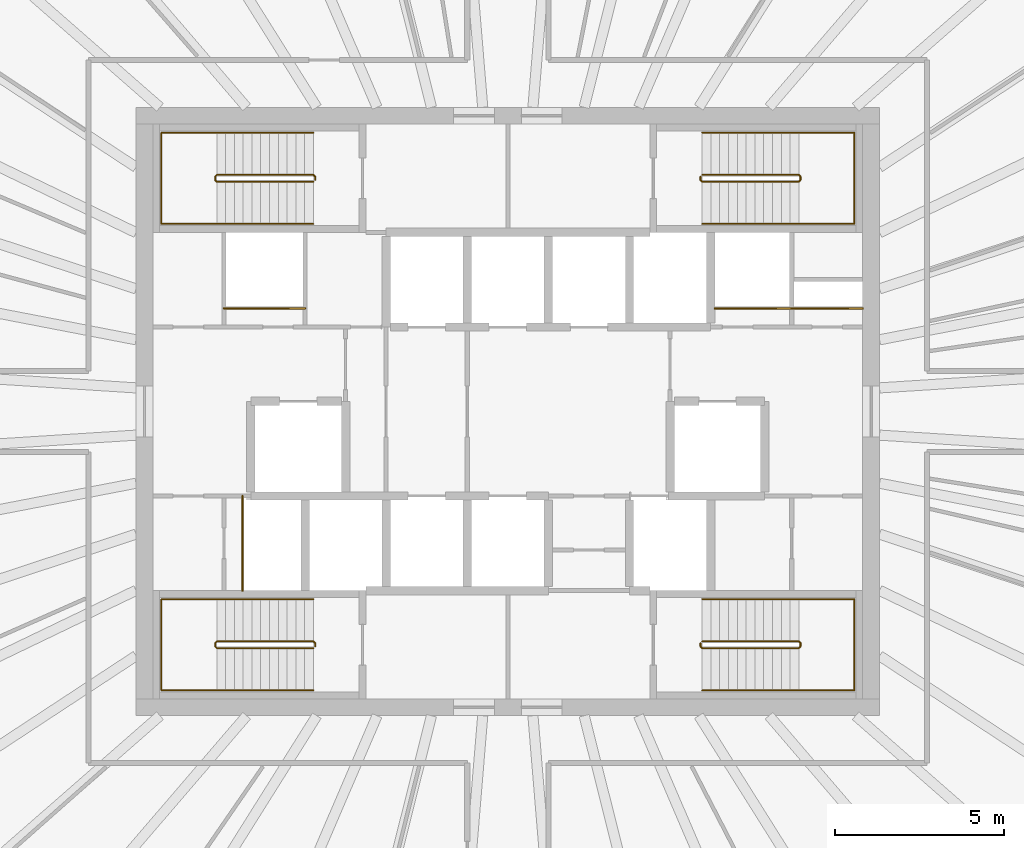
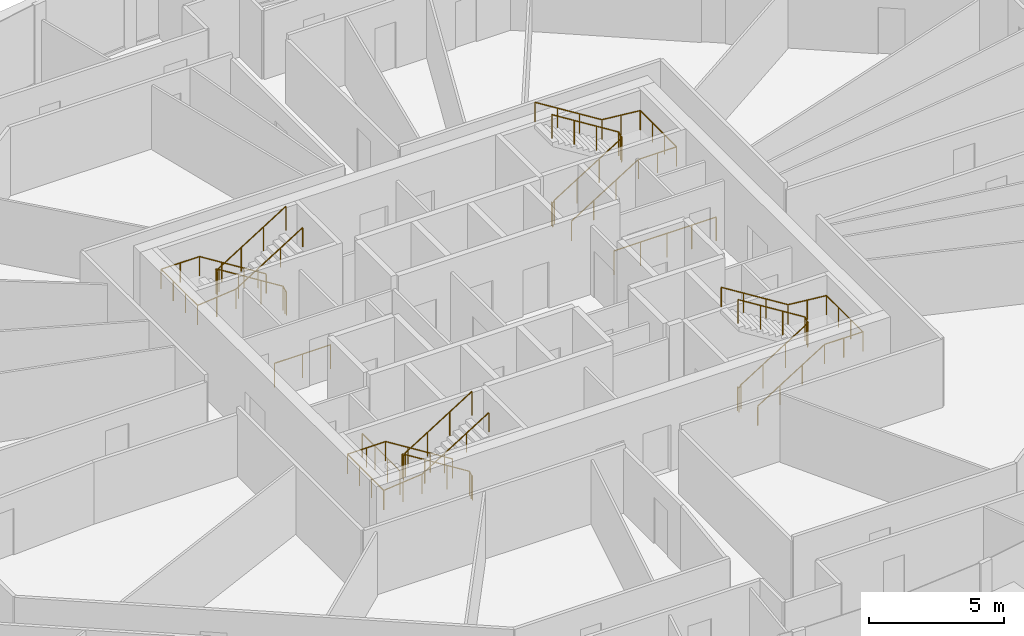
# One storey, part 12 of 12: 12 railings.
"""IFC4 building model written with IfcOpenShell, lengths in metres."""

from ifc_helpers import new_model, si_unit, direction, frame, origin, origin_2d, place, context, subcontext, project, spatial, circle, extrude, source, transform, mapped, material, type_object, element, save


model = new_model("IFC4")

# Units and contexts
model_context = context("Model", 3, precision=1e-05, world=origin(), true_north=direction((0.0, 1.0)))
body_context = subcontext(model_context, "Body", "Model", "MODEL_VIEW")
ifc_project = project(units=[si_unit("LENGTHUNIT", "METRE"), si_unit("AREAUNIT", "SQUARE_METRE"), si_unit("VOLUMEUNIT", "CUBIC_METRE"), si_unit("PLANEANGLEUNIT", "RADIAN"), si_unit("MASSUNIT", "GRAM", prefix="KILO")], contexts=[model_context])

# Site, building, storey
site_placement = place(None, origin())
site = spatial("IfcSite", under=ifc_project, at=site_placement, CompositionType="ELEMENT")
building_placement = place(site_placement, origin())
building = spatial("IfcBuilding", under=site, at=building_placement, Name="Embergate Tower", CompositionType="ELEMENT")
storey_placement = place(building_placement, frame((0.0, 0.0, 246.10009765625)))
storey = spatial("IfcBuildingStorey", under=building, at=storey_placement, Name="L56", CompositionType="ELEMENT", Elevation=246.10009765625)

# Railings
ifc_material_1 = material(Name="Stair handrail 900")
railing_type_1 = type_object("IfcRailingType", Name="Stair handrail 900", PredefinedType="HANDRAIL", material=ifc_material_1)
shared_shape_1 = source(origin(), body_context, "Body", "SweptSolid", [
    extrude(circle(Radius=0.02392578125, at=origin_2d()), frame((0.0, 0.0, 0.8759765625), z_axis=(-0.847994237388, 0.0, 0.530005446535), x_axis=(0.0, -1.0, 0.0)), (0.0, 0.0, 1.0), 3.372802734375),
    extrude(circle(Radius=0.02392578125, at=origin_2d()), frame((-2.860107421875, 0.0, 2.66357421875), z_axis=(-1.0, 0.0, 0.0), x_axis=(0.0, -1.0, 0.0)), (0.0, 0.0, 1.0), 1.639892578125),
    extrude(circle(Radius=0.02392578125, at=origin_2d()), frame((-4.5, 0.0, 2.66357421875), z_axis=(0.0, -1.0, 0.0), x_axis=(1.0, 0.0, 0.0)), (0.0, 0.0, 1.0), 2.699951171875),
    extrude(circle(Radius=0.02392578125, at=origin_2d()), frame((-4.5, -2.699951171875, 2.66357421875), z_axis=(0.995134983717, 0.0, 0.098520881967), x_axis=(0.0, 1.0, 0.0)), (0.0, 0.0, 1.0), 1.64794921875),
    extrude(circle(Radius=0.02392578125, at=origin_2d()), frame((-2.860107421875, -2.699951171875, 2.82568359375), z_axis=(0.847994237388, 0.0, 0.530005446535), x_axis=(0.0, 1.0, 0.0)), (0.0, 0.0, 1.0), 3.372802734375),
    extrude(circle(Radius=0.02099609375, at=origin_2d()), origin(), (0.0, 0.0, 1.0), 0.851806640625),
    extrude(circle(Radius=0.02099609375, at=origin_2d()), frame((-0.953369140625, 0.0, 0.595947265625)), (0.0, 0.0, 1.0), 0.851806640625),
    extrude(circle(Radius=0.02099609375, at=origin_2d()), frame((-1.90673828125, 0.0, 1.191650390625)), (0.0, 0.0, 1.0), 0.851806640625),
    extrude(circle(Radius=0.02099609375, at=origin_2d()), frame((-2.860107421875, 0.0, 1.78759765625)), (0.0, 0.0, 1.0), 0.851806640625),
    extrude(circle(Radius=0.02099609375, at=origin_2d()), frame((-3.68017578125, 0.0, 1.78759765625)), (0.0, 0.0, 1.0), 0.851806640625),
    extrude(circle(Radius=0.02099609375, at=origin_2d()), frame((-4.5, 0.0, 1.78759765625)), (0.0, 0.0, 1.0), 0.851806640625),
    extrude(circle(Radius=0.02099609375, at=origin_2d()), frame((-4.5, -0.89990234375, 1.78759765625)), (0.0, 0.0, 1.0), 0.851806640625),
    extrude(circle(Radius=0.02099609375, at=origin_2d()), frame((-4.5, -1.800048828125, 1.78759765625)), (0.0, 0.0, 1.0), 0.851806640625),
    extrude(circle(Radius=0.02099609375, at=origin_2d()), frame((-4.5, -2.699951171875, 1.78759765625)), (0.0, 0.0, 1.0), 0.851806640625),
    extrude(circle(Radius=0.02099609375, at=origin_2d()), frame((-3.68017578125, -2.699951171875, 1.86865234375)), (0.0, 0.0, 1.0), 0.851806640625),
    extrude(circle(Radius=0.02099609375, at=origin_2d()), frame((-2.860107421875, -2.699951171875, 1.949951171875)), (0.0, 0.0, 1.0), 0.851806640625),
    extrude(circle(Radius=0.02099609375, at=origin_2d()), frame((-1.90673828125, -2.699951171875, 2.5458984375)), (0.0, 0.0, 1.0), 0.851806640625),
    extrude(circle(Radius=0.02099609375, at=origin_2d()), frame((-0.953369140625, -2.699951171875, 3.1416015625)), (0.0, 0.0, 1.0), 0.851806640625),
    extrude(circle(Radius=0.02099609375, at=origin_2d()), frame((0.0, -2.699951171875, 3.737548828125)), (0.0, 0.0, 1.0), 0.851806640625),
])
for number, where, name in (
    (1, (-5.75, 8.25, 0.162353515625), "L56 ST1 stair handrail 1"),
    (2, (-5.75, -5.550048828125, 0.162353515625), "L56 ST3 stair handrail 1"),
):
    element("IfcRailing", number, at=place(storey_placement, frame(where)), inside=storey, type_object=railing_type_1, Name=name, PredefinedType="HANDRAIL", context=body_context, shape_type="MappedRepresentation", body=[
        mapped(shared_shape_1, transform((0.0, 0.0, 0.0))),
    ])
ifc_material_2 = material(Name="Stair guard 1100")
railing_type_2 = type_object("IfcRailingType", Name="Stair guard 1100", PredefinedType="GUARDRAIL", material=ifc_material_2)
shared_shape_2 = source(origin(), body_context, "Body", "SweptSolid", [
    extrude(circle(Radius=0.02392578125, at=origin_2d()), frame((0.0, 0.0, 1.076171875), z_axis=(0.0, 1.0, 0.0), x_axis=(-1.0, 0.0, 0.0)), (0.0, 0.0, 1.0), 0.099853515625),
    extrude(circle(Radius=0.02392578125, at=origin_2d()), frame((0.0, 0.099853515625, 1.076171875), z_axis=(-0.282583949758, 0.282583949758, 0.916674763849), x_axis=(-0.707106781187, -0.707106781187, 0.0)), (0.0, 0.0, 1.0), 0.177001953125),
    extrude(circle(Radius=0.02392578125, at=origin_2d()), frame((-0.050048828125, 0.14990234375, 1.23828125), z_axis=(-0.847994237388, 0.0, 0.530005446535), x_axis=(0.0, -1.0, 0.0)), (0.0, 0.0, 1.0), 3.372802734375),
    extrude(circle(Radius=0.02392578125, at=origin_2d()), frame((-2.91015625, 0.14990234375, 3.02587890625), z_axis=(-0.705375805398, -0.708833529934, 0.0), x_axis=(0.708833529934, -0.705375805398, 0.0)), (0.0, 0.0, 1.0), 0.070556640625),
    extrude(circle(Radius=0.02392578125, at=origin_2d()), frame((-2.9599609375, 0.099853515625, 3.02587890625), z_axis=(0.0, -1.0, 0.0), x_axis=(1.0, 0.0, 0.0)), (0.0, 0.0, 1.0), 0.099853515625),
    extrude(circle(Radius=0.02392578125, at=origin_2d()), frame((-2.9599609375, 0.0, 3.02587890625), z_axis=(0.281314826061, -0.282693820306, 0.917031173188), x_axis=(0.708833529934, 0.705375805398, 0.0)), (0.0, 0.0, 1.0), 0.177001953125),
    extrude(circle(Radius=0.02392578125, at=origin_2d()), frame((-2.91015625, -0.050048828125, 3.1884765625), z_axis=(0.847994237388, 0.0, 0.530005446535), x_axis=(0.0, 1.0, 0.0)), (0.0, 0.0, 1.0), 3.372802734375),
    extrude(circle(Radius=0.02099609375, at=origin_2d()), origin(), (0.0, 0.0, 1.0), 1.052001953125),
    extrude(circle(Radius=0.02099609375, at=origin_2d()), frame((0.0, 0.099853515625, 0.0)), (0.0, 0.0, 1.0), 1.052001953125),
    extrude(circle(Radius=0.02099609375, at=origin_2d()), frame((-0.050048828125, 0.14990234375, 0.162353515625)), (0.0, 0.0, 1.0), 1.052001953125),
    extrude(circle(Radius=0.02099609375, at=origin_2d()), frame((-1.00341796875, 0.14990234375, 0.75830078125)), (0.0, 0.0, 1.0), 1.052001953125),
    extrude(circle(Radius=0.02099609375, at=origin_2d()), frame((-1.956787109375, 0.14990234375, 1.35400390625)), (0.0, 0.0, 1.0), 1.052001953125),
    extrude(circle(Radius=0.02099609375, at=origin_2d()), frame((-2.91015625, 0.14990234375, 1.949951171875)), (0.0, 0.0, 1.0), 1.052001953125),
    extrude(circle(Radius=0.02099609375, at=origin_2d()), frame((-2.9599609375, 0.099853515625, 1.949951171875)), (0.0, 0.0, 1.0), 1.052001953125),
    extrude(circle(Radius=0.02099609375, at=origin_2d()), frame((-2.9599609375, 0.0, 1.949951171875)), (0.0, 0.0, 1.0), 1.052001953125),
    extrude(circle(Radius=0.02099609375, at=origin_2d()), frame((-2.91015625, -0.050048828125, 2.1123046875)), (0.0, 0.0, 1.0), 1.052001953125),
    extrude(circle(Radius=0.02099609375, at=origin_2d()), frame((-1.956787109375, -0.050048828125, 2.708251953125)), (0.0, 0.0, 1.0), 1.052001953125),
    extrude(circle(Radius=0.02099609375, at=origin_2d()), frame((-1.00341796875, -0.050048828125, 3.303955078125)), (0.0, 0.0, 1.0), 1.052001953125),
    extrude(circle(Radius=0.02099609375, at=origin_2d()), frame((-0.050048828125, -0.050048828125, 3.89990234375)), (0.0, 0.0, 1.0), 1.052001953125),
])
for number, where, name in (
    (3, (-5.699951171875, 6.85009765625, 0.0), "L56 ST1 stair guard 1"),
    (4, (-5.699951171875, -6.949951171875, 0.0), "L56 ST3 stair guard 1"),
):
    element("IfcRailing", number, at=place(storey_placement, frame(where)), inside=storey, type_object=railing_type_2, Name=name, PredefinedType="GUARDRAIL", context=body_context, shape_type="MappedRepresentation", body=[
        mapped(shared_shape_2, transform((0.0, 0.0, 0.0))),
    ])
shared_shape_3 = source(origin(), body_context, "Body", "SweptSolid", [
    extrude(circle(Radius=0.02392578125, at=origin_2d()), frame((0.0, 0.0, 0.8759765625), z_axis=(0.847994237388, 0.0, 0.530005446535), x_axis=(0.0, 1.0, 0.0)), (0.0, 0.0, 1.0), 3.372802734375),
    extrude(circle(Radius=0.02392578125, at=origin_2d()), frame((2.860107421875, 0.0, 2.66357421875), z_axis=(1.0, 0.0, 0.0), x_axis=(0.0, 1.0, 0.0)), (0.0, 0.0, 1.0), 1.639892578125),
    extrude(circle(Radius=0.02392578125, at=origin_2d()), frame((4.5, 0.0, 2.66357421875), z_axis=(0.0, 1.0, 0.0), x_axis=(-1.0, 0.0, 0.0)), (0.0, 0.0, 1.0), 2.699951171875),
    extrude(circle(Radius=0.02392578125, at=origin_2d()), frame((4.5, 2.699951171875, 2.66357421875), z_axis=(-0.995134983717, 0.0, 0.098520881967), x_axis=(0.0, -1.0, 0.0)), (0.0, 0.0, 1.0), 1.64794921875),
    extrude(circle(Radius=0.02392578125, at=origin_2d()), frame((2.860107421875, 2.699951171875, 2.82568359375), z_axis=(-0.847994237388, 0.0, 0.530005446535), x_axis=(0.0, -1.0, 0.0)), (0.0, 0.0, 1.0), 3.372802734375),
    extrude(circle(Radius=0.02099609375, at=origin_2d()), origin(), (0.0, 0.0, 1.0), 0.851806640625),
    extrude(circle(Radius=0.02099609375, at=origin_2d()), frame((0.953369140625, 0.0, 0.595947265625)), (0.0, 0.0, 1.0), 0.851806640625),
    extrude(circle(Radius=0.02099609375, at=origin_2d()), frame((1.90673828125, 0.0, 1.191650390625)), (0.0, 0.0, 1.0), 0.851806640625),
    extrude(circle(Radius=0.02099609375, at=origin_2d()), frame((2.860107421875, 0.0, 1.78759765625)), (0.0, 0.0, 1.0), 0.851806640625),
    extrude(circle(Radius=0.02099609375, at=origin_2d()), frame((3.68017578125, 0.0, 1.78759765625)), (0.0, 0.0, 1.0), 0.851806640625),
    extrude(circle(Radius=0.02099609375, at=origin_2d()), frame((4.5, 0.0, 1.78759765625)), (0.0, 0.0, 1.0), 0.851806640625),
    extrude(circle(Radius=0.02099609375, at=origin_2d()), frame((4.5, 0.89990234375, 1.78759765625)), (0.0, 0.0, 1.0), 0.851806640625),
    extrude(circle(Radius=0.02099609375, at=origin_2d()), frame((4.5, 1.800048828125, 1.78759765625)), (0.0, 0.0, 1.0), 0.851806640625),
    extrude(circle(Radius=0.02099609375, at=origin_2d()), frame((4.5, 2.699951171875, 1.78759765625)), (0.0, 0.0, 1.0), 0.851806640625),
    extrude(circle(Radius=0.02099609375, at=origin_2d()), frame((3.68017578125, 2.699951171875, 1.86865234375)), (0.0, 0.0, 1.0), 0.851806640625),
    extrude(circle(Radius=0.02099609375, at=origin_2d()), frame((2.860107421875, 2.699951171875, 1.949951171875)), (0.0, 0.0, 1.0), 0.851806640625),
    extrude(circle(Radius=0.02099609375, at=origin_2d()), frame((1.90673828125, 2.699951171875, 2.5458984375)), (0.0, 0.0, 1.0), 0.851806640625),
    extrude(circle(Radius=0.02099609375, at=origin_2d()), frame((0.953369140625, 2.699951171875, 3.1416015625)), (0.0, 0.0, 1.0), 0.851806640625),
    extrude(circle(Radius=0.02099609375, at=origin_2d()), frame((0.0, 2.699951171875, 3.737548828125)), (0.0, 0.0, 1.0), 0.851806640625),
])
for number, where, name in (
    (5, (5.75, 5.550048828125, 0.162353515625), "L56 ST2 stair handrail 1"),
    (6, (5.75, -8.25, 0.162353515625), "L56 ST4 stair handrail 1"),
):
    element("IfcRailing", number, at=place(storey_placement, frame(where)), inside=storey, type_object=railing_type_1, Name=name, PredefinedType="HANDRAIL", context=body_context, shape_type="MappedRepresentation", body=[
        mapped(shared_shape_3, transform((0.0, 0.0, 0.0))),
    ])
shared_shape_4 = source(origin(), body_context, "Body", "SweptSolid", [
    extrude(circle(Radius=0.02392578125, at=origin_2d()), frame((0.0, 0.0, 1.076171875), z_axis=(0.0, -1.0, 0.0), x_axis=(1.0, 0.0, 0.0)), (0.0, 0.0, 1.0), 0.099853515625),
    extrude(circle(Radius=0.02392578125, at=origin_2d()), frame((0.0, -0.099853515625, 1.076171875), z_axis=(0.282583949758, -0.282583949758, 0.916674763849), x_axis=(0.707106781187, 0.707106781187, 0.0)), (0.0, 0.0, 1.0), 0.177001953125),
    extrude(circle(Radius=0.02392578125, at=origin_2d()), frame((0.050048828125, -0.14990234375, 1.23828125), z_axis=(0.847994237388, 0.0, 0.530005446535), x_axis=(0.0, 1.0, 0.0)), (0.0, 0.0, 1.0), 3.372802734375),
    extrude(circle(Radius=0.02392578125, at=origin_2d()), frame((2.91015625, -0.14990234375, 3.02587890625), z_axis=(0.705375805398, 0.708833529934, 0.0), x_axis=(-0.708833529934, 0.705375805398, 0.0)), (0.0, 0.0, 1.0), 0.070556640625),
    extrude(circle(Radius=0.02392578125, at=origin_2d()), frame((2.9599609375, -0.099853515625, 3.02587890625), z_axis=(0.0, 1.0, 0.0), x_axis=(-1.0, 0.0, 0.0)), (0.0, 0.0, 1.0), 0.099853515625),
    extrude(circle(Radius=0.02392578125, at=origin_2d()), frame((2.9599609375, 0.0, 3.02587890625), z_axis=(-0.281314826061, 0.282693820306, 0.917031173188), x_axis=(-0.708833529934, -0.705375805398, 0.0)), (0.0, 0.0, 1.0), 0.177001953125),
    extrude(circle(Radius=0.02392578125, at=origin_2d()), frame((2.91015625, 0.050048828125, 3.1884765625), z_axis=(-0.847994237388, 0.0, 0.530005446535), x_axis=(0.0, -1.0, 0.0)), (0.0, 0.0, 1.0), 3.372802734375),
    extrude(circle(Radius=0.02099609375, at=origin_2d()), origin(), (0.0, 0.0, 1.0), 1.052001953125),
    extrude(circle(Radius=0.02099609375, at=origin_2d()), frame((0.0, -0.099853515625, 0.0)), (0.0, 0.0, 1.0), 1.052001953125),
    extrude(circle(Radius=0.02099609375, at=origin_2d()), frame((0.050048828125, -0.14990234375, 0.162353515625)), (0.0, 0.0, 1.0), 1.052001953125),
    extrude(circle(Radius=0.02099609375, at=origin_2d()), frame((1.00341796875, -0.14990234375, 0.75830078125)), (0.0, 0.0, 1.0), 1.052001953125),
    extrude(circle(Radius=0.02099609375, at=origin_2d()), frame((1.956787109375, -0.14990234375, 1.35400390625)), (0.0, 0.0, 1.0), 1.052001953125),
    extrude(circle(Radius=0.02099609375, at=origin_2d()), frame((2.91015625, -0.14990234375, 1.949951171875)), (0.0, 0.0, 1.0), 1.052001953125),
    extrude(circle(Radius=0.02099609375, at=origin_2d()), frame((2.9599609375, -0.099853515625, 1.949951171875)), (0.0, 0.0, 1.0), 1.052001953125),
    extrude(circle(Radius=0.02099609375, at=origin_2d()), frame((2.9599609375, 0.0, 1.949951171875)), (0.0, 0.0, 1.0), 1.052001953125),
    extrude(circle(Radius=0.02099609375, at=origin_2d()), frame((2.91015625, 0.050048828125, 2.1123046875)), (0.0, 0.0, 1.0), 1.052001953125),
    extrude(circle(Radius=0.02099609375, at=origin_2d()), frame((1.956787109375, 0.050048828125, 2.708251953125)), (0.0, 0.0, 1.0), 1.052001953125),
    extrude(circle(Radius=0.02099609375, at=origin_2d()), frame((1.00341796875, 0.050048828125, 3.303955078125)), (0.0, 0.0, 1.0), 1.052001953125),
    extrude(circle(Radius=0.02099609375, at=origin_2d()), frame((0.050048828125, 0.050048828125, 3.89990234375)), (0.0, 0.0, 1.0), 1.052001953125),
])
for number, where, name in (
    (7, (5.699951171875, 6.949951171875, 0.0), "L56 ST2 stair guard 1"),
    (8, (5.699951171875, -6.85009765625, 0.0), "L56 ST4 stair guard 1"),
):
    element("IfcRailing", number, at=place(storey_placement, frame(where)), inside=storey, type_object=railing_type_2, Name=name, PredefinedType="GUARDRAIL", context=body_context, shape_type="MappedRepresentation", body=[
        mapped(shared_shape_4, transform((0.0, 0.0, 0.0))),
    ])
ifc_material_3 = material(Name="Opening guard 1100")
railing_type_3 = type_object("IfcRailingType", Name="Opening guard 1100", PredefinedType="GUARDRAIL", material=ifc_material_3)
shared_shape_5 = source(origin(), body_context, "Body", "SweptSolid", [
    extrude(circle(Radius=0.02392578125, at=origin_2d()), frame((0.0, 0.0, 1.076171875), z_axis=(1.0, 0.0, 0.0), x_axis=(0.0, 1.0, 0.0)), (0.0, 0.0, 1.0), 2.27490234375),
    extrude(circle(Radius=0.02099609375, at=origin_2d()), origin(), (0.0, 0.0, 1.0), 1.052001953125),
    extrude(circle(Radius=0.02099609375, at=origin_2d()), frame((1.137451171875, 0.0, 0.0)), (0.0, 0.0, 1.0), 1.052001953125),
    extrude(circle(Radius=0.02099609375, at=origin_2d()), frame((2.27490234375, 0.0, 0.0)), (0.0, 0.0, 1.0), 1.052001953125),
])
railing_1_placement = place(storey_placement, frame((6.125, 3.050048828125, 0.0)))
element("IfcRailing", 9, at=railing_1_placement, inside=storey, type_object=railing_type_3, Name="Riser opening guard", PredefinedType="GUARDRAIL", context=body_context, shape_type="MappedRepresentation", body=[
    mapped(shared_shape_5, transform((0.0, 0.0, 0.0))),
])
shared_shape_6 = source(origin(), body_context, "Body", "SweptSolid", [
    extrude(circle(Radius=0.02392578125, at=origin_2d()), frame((0.0, 0.0, 1.076171875), z_axis=(0.0, 1.0, 0.0), x_axis=(-1.0, 0.0, 0.0)), (0.0, 0.0, 1.0), 2.800048828125),
    extrude(circle(Radius=0.02099609375, at=origin_2d()), origin(), (0.0, 0.0, 1.0), 1.052001953125),
    extrude(circle(Radius=0.02099609375, at=origin_2d()), frame((0.0, 0.933349609375, 0.0)), (0.0, 0.0, 1.0), 1.052001953125),
    extrude(circle(Radius=0.02099609375, at=origin_2d()), frame((0.0, 1.86669921875, 0.0)), (0.0, 0.0, 1.0), 1.052001953125),
    extrude(circle(Radius=0.02099609375, at=origin_2d()), frame((0.0, 2.800048828125, 0.0)), (0.0, 0.0, 1.0), 1.052001953125),
])
railing_2_placement = place(storey_placement, frame((-7.85009765625, -5.300048828125, 0.0)))
element("IfcRailing", 10, at=railing_2_placement, inside=storey, type_object=railing_type_3, Name="Riser opening guard", PredefinedType="GUARDRAIL", context=body_context, shape_type="MappedRepresentation", body=[
    mapped(shared_shape_6, transform((0.0, 0.0, 0.0))),
])
shared_shape_7 = source(origin(), body_context, "Body", "SweptSolid", [
    extrude(circle(Radius=0.02392578125, at=origin_2d()), frame((0.0, 0.0, 1.076171875), z_axis=(1.0, 0.0, 0.0), x_axis=(0.0, 1.0, 0.0)), (0.0, 0.0, 1.0), 2.39990234375),
    extrude(circle(Radius=0.02099609375, at=origin_2d()), origin(), (0.0, 0.0, 1.0), 1.052001953125),
    extrude(circle(Radius=0.02099609375, at=origin_2d()), frame((1.199951171875, 0.0, 0.0)), (0.0, 0.0, 1.0), 1.052001953125),
    extrude(circle(Radius=0.02099609375, at=origin_2d()), frame((2.39990234375, 0.0, 0.0)), (0.0, 0.0, 1.0), 1.052001953125),
])
railing_3_placement = place(storey_placement, frame((-8.39990234375, 3.050048828125, 0.0)))
element("IfcRailing", 11, at=railing_3_placement, inside=storey, type_object=railing_type_3, Name="Riser opening guard", PredefinedType="GUARDRAIL", context=body_context, shape_type="MappedRepresentation", body=[
    mapped(shared_shape_7, transform((0.0, 0.0, 0.0))),
])
shared_shape_8 = source(origin(), body_context, "Body", "SweptSolid", [
    extrude(circle(Radius=0.02392578125, at=origin_2d()), frame((0.0, 0.0, 1.076171875), z_axis=(1.0, 0.0, 0.0), x_axis=(0.0, 1.0, 0.0)), (0.0, 0.0, 1.0), 2.10009765625),
    extrude(circle(Radius=0.02099609375, at=origin_2d()), origin(), (0.0, 0.0, 1.0), 1.052001953125),
    extrude(circle(Radius=0.02099609375, at=origin_2d()), frame((1.050048828125, 0.0, 0.0)), (0.0, 0.0, 1.0), 1.052001953125),
    extrude(circle(Radius=0.02099609375, at=origin_2d()), frame((2.10009765625, 0.0, 0.0)), (0.0, 0.0, 1.0), 1.052001953125),
])
railing_4_placement = place(storey_placement, frame((8.39990234375, 3.050048828125, 0.0)))
element("IfcRailing", 12, at=railing_4_placement, inside=storey, type_object=railing_type_3, Name="Riser opening guard", PredefinedType="GUARDRAIL", context=body_context, shape_type="MappedRepresentation", body=[
    mapped(shared_shape_8, transform((0.0, 0.0, 0.0))),
])

save(model, "model.ifc")
